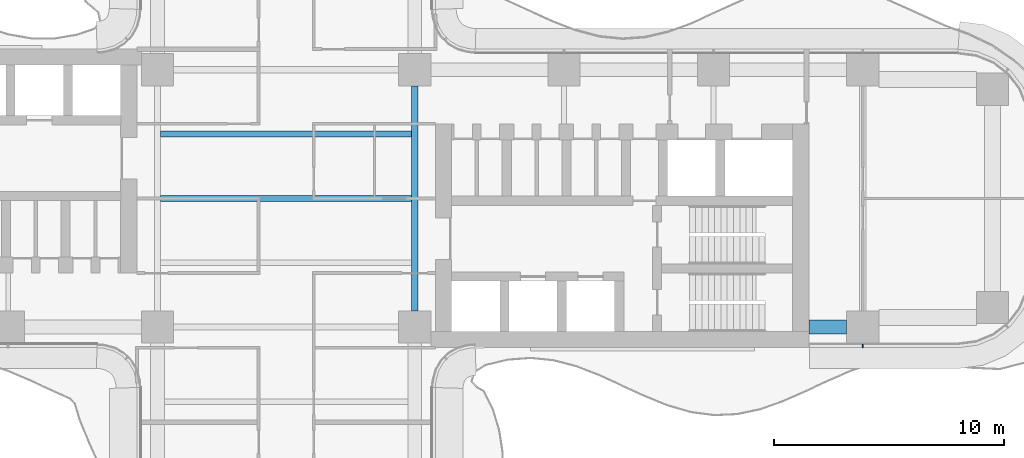
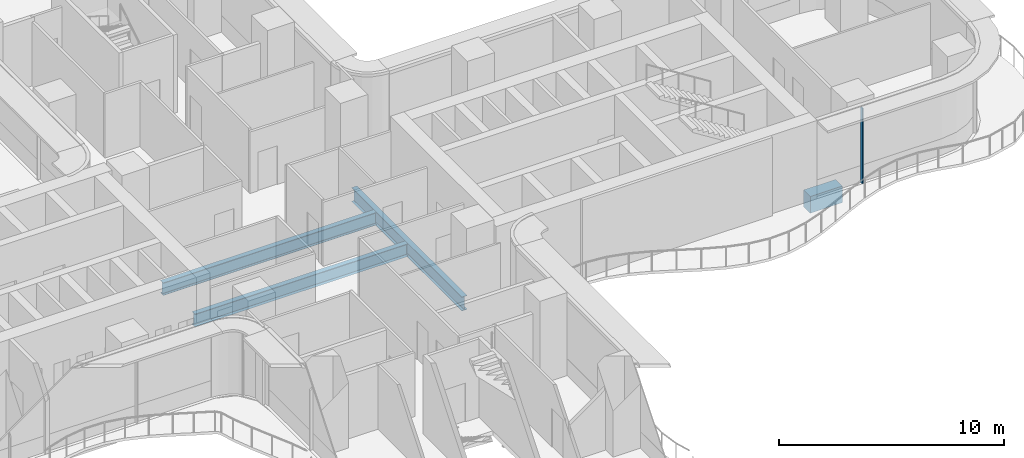
# One storey, part 6 of 22: 4 beams, 1 member, 1 element without a shape of its own.
"""IFC4 building model written with IfcOpenShell, lengths in metres."""

from ifc_helpers import new_model, si_unit, direction, frame, origin, origin_2d, place, context, subcontext, project, spatial, rectangle, i_section, extrude, source, transform, mapped, material, layer, layer_set, material_profile, profile_set, type_object, element, aggregate, save


model = new_model("IFC4")

# Units and contexts
model_context = context("Model", 3, precision=1e-05, world=origin(), true_north=direction((0.0, 1.0)))
body_context = subcontext(model_context, "Body", "Model", "MODEL_VIEW")
ifc_project = project(units=[si_unit("LENGTHUNIT", "METRE"), si_unit("AREAUNIT", "SQUARE_METRE"), si_unit("VOLUMEUNIT", "CUBIC_METRE"), si_unit("PLANEANGLEUNIT", "RADIAN"), si_unit("MASSUNIT", "GRAM", prefix="KILO")], contexts=[model_context])

# Site, building, storey
site_placement = place(None, origin())
site = spatial("IfcSite", under=ifc_project, at=site_placement, CompositionType="ELEMENT")
building_placement = place(site_placement, origin())
building = spatial("IfcBuilding", under=site, at=building_placement, Name="Trellis Farm Tower", CompositionType="ELEMENT")
storey_placement = place(building_placement, frame((0.0, 0.0, 47.5)))
storey = spatial("IfcBuildingStorey", under=building, at=storey_placement, Name="L09", CompositionType="ELEMENT", Elevation=47.5)

# Beams
ifc_material_1 = material(Name="Steel S355", Category="steel")
ifc_material_profile_1 = material_profile(ifc_material_1, i_section(OverallWidth=0.253662109375, OverallDepth=0.68359375, WebThickness=0.012451171875, FlangeThickness=0.021728515625, FilletRadius=0.01513671875, at=origin_2d()), Name="UB 686x254x140")
ifc_profile_set_1 = profile_set([ifc_material_profile_1], Name="Steel S355")
beam_type_1 = type_object("IfcBeamType", Name="UB 686x254x140 joist", PredefinedType="JOIST", material=ifc_profile_set_1)
shared_shape_1 = source(origin(), body_context, "Body", "SweptSolid", [
    extrude(i_section(OverallWidth=0.253662109375, OverallDepth=0.68359375, WebThickness=0.012451171875, FlangeThickness=0.021728515625, FilletRadius=0.01513671875, at=origin_2d()), origin(), (0.0, 0.0, 1.0), 10.93310546875),
])
for number, where, z_axis, x_axis, name in (
    (1, (-5.466552734375, 0.0, -0.591796875), (1.0, 0.0, 0.0), (0.0, 1.0, 0.0), "Floor beam"),
    (2, (-5.466552734375, 2.800048828125, -0.591796875), (1.0, 0.0, 0.0), (0.0, 1.0, 0.0), "Floor beam"),
):
    element("IfcBeam", number, at=place(storey_placement, frame(where, z_axis=z_axis, x_axis=x_axis)), inside=storey, type_object=beam_type_1, Name=name, PredefinedType="JOIST", context=body_context, shape_type="MappedRepresentation", body=[
        mapped(shared_shape_1, transform((0.0, 0.0, 0.0))),
    ])
ifc_material_profile_2 = material_profile(ifc_material_1, i_section(OverallWidth=0.2666015625, OverallDepth=0.76220703125, WebThickness=0.014404296875, FlangeThickness=0.021484375, FilletRadius=0.0166015625, at=origin_2d()), Name="UB 762x267x173")
ifc_profile_set_2 = profile_set([ifc_material_profile_2], Name="Steel S355")
beam_type_2 = type_object("IfcBeamType", Name="UB 762x267x173", PredefinedType="BEAM", material=ifc_profile_set_2)
shared_shape_2 = source(origin(), body_context, "Body", "SweptSolid", [
    extrude(i_section(OverallWidth=0.2666015625, OverallDepth=0.76220703125, WebThickness=0.014404296875, FlangeThickness=0.021484375, FilletRadius=0.0166015625, at=origin_2d()), origin(), (0.0, 0.0, 1.0), 9.7998046875),
])
beam_1_placement = place(storey_placement, frame((5.60009765625, -4.89990234375, -0.631103515625), z_axis=(0.0, 1.0, 0.0), x_axis=(-1.0, 0.0, 0.0)))
element("IfcBeam", 3, at=beam_1_placement, inside=storey, type_object=beam_type_2, Name="Girder", PredefinedType="BEAM", context=body_context, shape_type="MappedRepresentation", body=[
    mapped(shared_shape_2, transform((0.0, 0.0, 0.0))),
])
ifc_material_2 = material(Name="Concrete C60/75", Category="concrete")
ifc_material_profile_3 = material_profile(ifc_material_2, rectangle(XDim=0.60009765625, YDim=0.89990234375, at=origin_2d()), Name="RC spandrel beam 600x900 C60/75")
ifc_profile_set_3 = profile_set([ifc_material_profile_3], Name="Concrete C60/75")
beam_type_3 = type_object("IfcBeamType", Name="RC spandrel beam 600x900 C60/75", PredefinedType="SPANDREL", material=ifc_profile_set_3)
shared_shape_3 = source(origin(), body_context, "Body", "SweptSolid", [
    extrude(rectangle(XDim=0.60009765625, YDim=0.89990234375, at=origin_2d()), origin(), (0.0, 0.0, 1.0), 1.64990234375),
])
beam_2_placement = place(storey_placement, frame((22.75, -5.60009765625, -0.699951171875), z_axis=(1.0, 0.0, 0.0), x_axis=(0.0, 1.0, 0.0)))
element("IfcBeam", 4, at=beam_2_placement, inside=storey, type_object=beam_type_3, Name="Girder", PredefinedType="SPANDREL", context=body_context, shape_type="MappedRepresentation", body=[
    mapped(shared_shape_3, transform((0.0, 0.0, 0.0))),
])

# Curtain wall, member
ifc_material_3 = material(Name="Aluminium and glass curtain wall", Category="aluminium")
ifc_layer = layer(ifc_material_3, 0.18994140625)
ifc_layer_set = layer_set([ifc_layer], Name="RIBBON CURTAIN WALL CW1")
curtain_wall_type = type_object("IfcCurtainWallType", Name="RIBBON CURTAIN WALL CW1", PredefinedType="NOTDEFINED", material=ifc_layer_set)
curtain_wall_placement = place(storey_placement, origin())
curtain_wall = element("IfcCurtainWall", 5, at=curtain_wall_placement, inside=storey, type_object=curtain_wall_type, Name="CW1 005", PredefinedType="NOTDEFINED")
ifc_material_4 = material(Name="Aluminium extrusion 6063-T6", Category="aluminium")
ifc_material_profile_4 = material_profile(ifc_material_4, rectangle(XDim=0.06005859375, YDim=0.14990234375, at=origin_2d()), Name="MULLION 60x150")
ifc_profile_set_4 = profile_set([ifc_material_profile_4], Name="Aluminium extrusion 6063-T6")
member_type = type_object("IfcMemberType", Name="CW1 MULLION 60x150", PredefinedType="MULLION", material=ifc_profile_set_4)
shared_shape_4 = source(origin(), body_context, "Body", "SweptSolid", [
    extrude(rectangle(XDim=0.06005859375, YDim=0.14990234375, at=origin_2d()), origin(), (0.0, 0.0, 1.0), 4.070068359375),
])
member_placement = place(storey_placement, frame((25.10009765625, -6.425048828125, 0.0), z_axis=(0.0, 0.0, 1.0), x_axis=(1.0, 0.0, 0.0)))
member = element("IfcMember", 6, at=member_placement, type_object=member_type, Name="MU1 005-01", PredefinedType="MULLION", context=body_context, shape_type="MappedRepresentation", body=[
    mapped(shared_shape_4, transform((0.0, 0.0, 0.0))),
])
aggregate(curtain_wall, [member])

save(model, "model.ifc")
